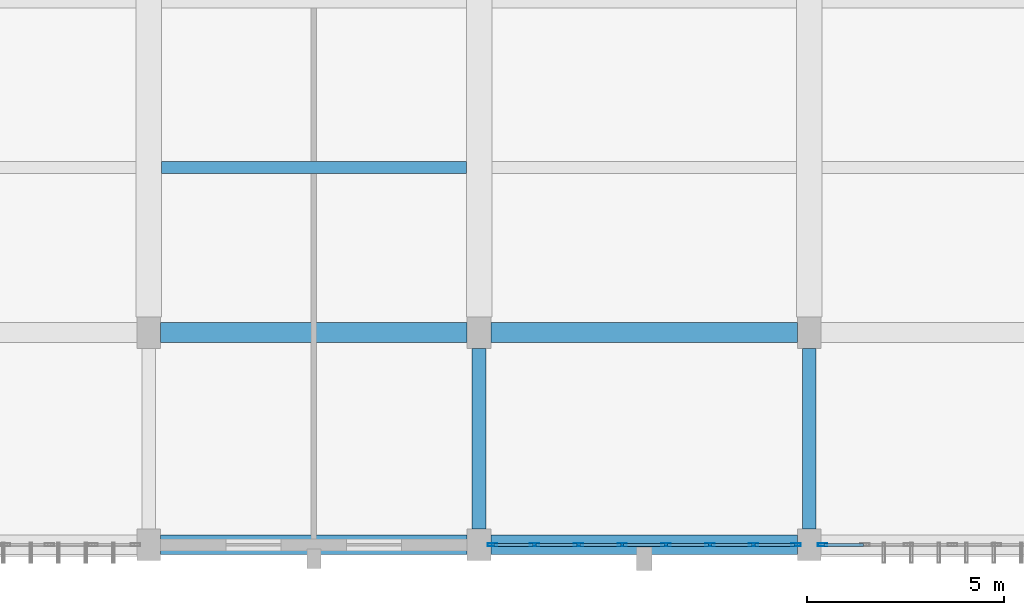
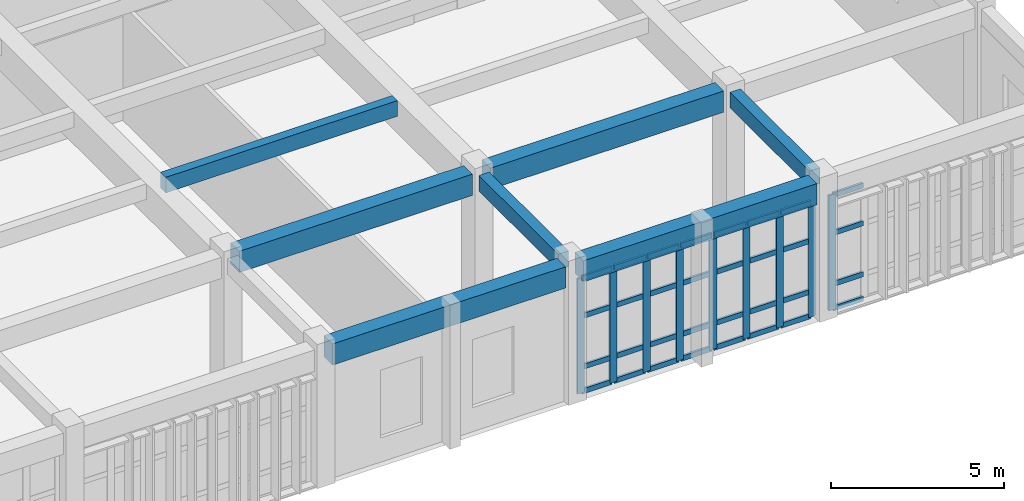
# One storey, part 54 of 106: 41 members, 7 beams, 2 elements without a shape of their own.
"""IFC4 building model written with IfcOpenShell, lengths in metres."""

from ifc_helpers import new_model, si_unit, direction, frame, origin, origin_2d, place, context, subcontext, project, spatial, rectangle, hollow_rectangle, extrude, material, layer, layer_set, material_profile, profile_set, type_object, element, aggregate, save


model = new_model("IFC4")

# Units and contexts
model_context = context("Model", 3, precision=1e-05, world=origin(), true_north=direction((0.0, 1.0)))
body_context = subcontext(model_context, "Body", "Model", "MODEL_VIEW")
ifc_project = project(units=[si_unit("LENGTHUNIT", "METRE"), si_unit("AREAUNIT", "SQUARE_METRE"), si_unit("VOLUMEUNIT", "CUBIC_METRE"), si_unit("PLANEANGLEUNIT", "RADIAN"), si_unit("MASSUNIT", "GRAM", prefix="KILO")], contexts=[model_context])

# Site, building, storey
site_placement = place(None, origin())
site = spatial("IfcSite", under=ifc_project, at=site_placement, CompositionType="ELEMENT")
building_placement = place(site_placement, origin())
building = spatial("IfcBuilding", under=site, at=building_placement, Name="Krzemoval Escarpment Law Courts", CompositionType="ELEMENT")
storey_placement = place(building_placement, frame((0.0, 0.0, 5.10009765625)))
storey = spatial("IfcBuildingStorey", under=building, at=storey_placement, Name="L01", CompositionType="ELEMENT", Elevation=5.10009765625)

# Beams
ifc_material_1 = material(Name="Concrete C40/50", Category="concrete")
ifc_material_profile_1 = material_profile(ifc_material_1, rectangle(XDim=0.35009765625, YDim=0.550048828125, at=origin_2d()), Name="RCB 350x550")
ifc_profile_set_1 = profile_set([ifc_material_profile_1], Name="Concrete C40/50")
beam_type_1 = type_object("IfcBeamType", Name="BM-RC-350x550", PredefinedType="BEAM", material=ifc_profile_set_1)
for number, where, z_axis, x_axis, name in (
    (1, (134.39990234375, 0.39990234375, 4.544921875), (0.0, 1.0, 0.0), (-1.0, 0.0, 0.0), "Beam FG-L01-1520"),
    (2, (142.800048828125, 0.39990234375, 4.544921875), (0.0, 1.0, 0.0), (-1.0, 0.0, 0.0), "Beam FG-L01-1536"),
):
    element("IfcBeam", number, at=place(storey_placement, frame(where, z_axis=z_axis, x_axis=x_axis)), inside=storey, type_object=beam_type_1, Name=name, PredefinedType="BEAM", context=body_context, shape_type="SweptSolid", body=[
        extrude(rectangle(XDim=0.35009765625, YDim=0.550048828125, at=origin_2d()), origin(), (0.0, 0.0, 1.0), 4.60009765625),
    ])
ifc_material_2 = material(Name="Concrete C40/50", Category="concrete")
ifc_material_profile_2 = material_profile(ifc_material_2, rectangle(XDim=0.5, YDim=0.75, at=origin_2d()), Name="RCB 500x750")
ifc_profile_set_2 = profile_set([ifc_material_profile_2], Name="Concrete C40/50")
beam_type_2 = type_object("IfcBeamType", Name="BM-RC-500x750", PredefinedType="BEAM", material=ifc_profile_set_2)
for number, where, z_axis, x_axis, name in (
    (3, (126.300048828125, 0.0, 4.44482421875), (1.0, 0.0, 0.0), (0.0, 1.0, 0.0), "Beam FG-L01-1160"),
    (4, (134.699951171875, 0.0, 4.44482421875), (1.0, 0.0, 0.0), (0.0, 1.0, 0.0), "Beam FG-L01-1161"),
    (5, (126.300048828125, 5.39990234375, 4.44482421875), (1.0, 0.0, 0.0), (0.0, 1.0, 0.0), "Beam FG-L01-1178"),
    (6, (134.699951171875, 5.39990234375, 4.44482421875), (1.0, 0.0, 0.0), (0.0, 1.0, 0.0), "Beam FG-L01-1179"),
):
    element("IfcBeam", number, at=place(storey_placement, frame(where, z_axis=z_axis, x_axis=x_axis)), inside=storey, type_object=beam_type_2, Name=name, PredefinedType="BEAM", context=body_context, shape_type="SweptSolid", body=[
        extrude(rectangle(XDim=0.5, YDim=0.75, at=origin_2d()), origin(), (0.0, 0.0, 1.0), 7.800048828125),
    ])

# Curtain wall, member
ifc_material_3 = material(Name="Aluminium 6063-T6", Category="aluminium")
ifc_layer = layer(ifc_material_3, 0.239990234375)
ifc_layer_set = layer_set([ifc_layer], Name="Aluminium 6063-T6")
curtain_wall_type = type_object("IfcCurtainWallType", Name="CW-LIBR-4800", PredefinedType="USERDEFINED", material=ifc_layer_set)
curtain_wall_1_placement = place(storey_placement, origin())
curtain_wall_1 = element("IfcCurtainWall", 7, at=curtain_wall_1_placement, inside=storey, type_object=curtain_wall_type, Name="Unitised Curtain Wall FCW-L01-041", ObjectType="UNITISED_CURTAIN_WALL", PredefinedType="USERDEFINED")
ifc_material_4 = material(Name="Aluminium 6063-T6", Category="aluminium")
ifc_material_profile_3 = material_profile(ifc_material_4, hollow_rectangle(XDim=0.074951171875, YDim=0.239990234375, WallThickness=0.0048828125, at=origin_2d()), Name="ALU M75x240")
ifc_profile_set_3 = profile_set([ifc_material_profile_3], Name="Aluminium 6063-T6")
member_type_1 = type_object("IfcMemberType", Name="CWM-75x240", PredefinedType="MULLION", material=ifc_profile_set_3)
member_1_placement = place(storey_placement, frame((143.137451171875, 0.0, 0.0), z_axis=(0.0, 0.0, 1.0), x_axis=(0.0, -1.0, 0.0)))
member_1 = element("IfcMember", 8, at=member_1_placement, type_object=member_type_1, Name="FCW-L01-041 mullion 8", PredefinedType="MULLION", context=body_context, shape_type="SweptSolid", body=[
    extrude(hollow_rectangle(XDim=0.074951171875, YDim=0.239990234375, WallThickness=0.0048828125, at=origin_2d()), origin(), (0.0, 0.0, 1.0), 4.06982421875),
])

# Curtain wall, members
curtain_wall_2_placement = place(storey_placement, origin())
curtain_wall_2 = element("IfcCurtainWall", 9, at=curtain_wall_2_placement, inside=storey, type_object=curtain_wall_type, Name="Unitised Curtain Wall FCW-L01-042", ObjectType="UNITISED_CURTAIN_WALL", PredefinedType="USERDEFINED")
member_2_placement = place(storey_placement, frame((142.46240234375, 0.0, 0.0), z_axis=(0.0, 0.0, 1.0), x_axis=(0.0, -1.0, 0.0)))
member_2 = element("IfcMember", 10, at=member_2_placement, type_object=member_type_1, Name="FCW-L01-042 mullion 1", PredefinedType="MULLION", context=body_context, shape_type="SweptSolid", body=[
    extrude(hollow_rectangle(XDim=0.074951171875, YDim=0.239990234375, WallThickness=0.0048828125, at=origin_2d()), origin(), (0.0, 0.0, 1.0), 4.06982421875),
])
member_3_placement = place(storey_placement, frame((141.3857421875, 0.0, 0.0), z_axis=(0.0, 0.0, 1.0), x_axis=(0.0, -1.0, 0.0)))
member_3 = element("IfcMember", 11, at=member_3_placement, type_object=member_type_1, Name="FCW-L01-042 mullion 2", PredefinedType="MULLION", context=body_context, shape_type="SweptSolid", body=[
    extrude(hollow_rectangle(XDim=0.074951171875, YDim=0.239990234375, WallThickness=0.0048828125, at=origin_2d()), origin(), (0.0, 0.0, 1.0), 4.06982421875),
])
member_4_placement = place(storey_placement, frame((140.271484375, 0.0, 0.0), z_axis=(0.0, 0.0, 1.0), x_axis=(0.0, -1.0, 0.0)))
member_4 = element("IfcMember", 12, at=member_4_placement, type_object=member_type_1, Name="FCW-L01-042 mullion 3", PredefinedType="MULLION", context=body_context, shape_type="SweptSolid", body=[
    extrude(hollow_rectangle(XDim=0.074951171875, YDim=0.239990234375, WallThickness=0.0048828125, at=origin_2d()), origin(), (0.0, 0.0, 1.0), 4.06982421875),
])
member_5_placement = place(storey_placement, frame((139.1572265625, 0.0, 0.0), z_axis=(0.0, 0.0, 1.0), x_axis=(0.0, -1.0, 0.0)))
member_5 = element("IfcMember", 13, at=member_5_placement, type_object=member_type_1, Name="FCW-L01-042 mullion 4", PredefinedType="MULLION", context=body_context, shape_type="SweptSolid", body=[
    extrude(hollow_rectangle(XDim=0.074951171875, YDim=0.239990234375, WallThickness=0.0048828125, at=origin_2d()), origin(), (0.0, 0.0, 1.0), 4.06982421875),
])
member_6_placement = place(storey_placement, frame((138.04296875, 0.0, 0.0), z_axis=(0.0, 0.0, 1.0), x_axis=(0.0, -1.0, 0.0)))
member_6 = element("IfcMember", 14, at=member_6_placement, type_object=member_type_1, Name="FCW-L01-042 mullion 5", PredefinedType="MULLION", context=body_context, shape_type="SweptSolid", body=[
    extrude(hollow_rectangle(XDim=0.074951171875, YDim=0.239990234375, WallThickness=0.0048828125, at=origin_2d()), origin(), (0.0, 0.0, 1.0), 4.06982421875),
])
member_7_placement = place(storey_placement, frame((136.928466796875, 0.0, 0.0), z_axis=(0.0, 0.0, 1.0), x_axis=(0.0, -1.0, 0.0)))
member_7 = element("IfcMember", 15, at=member_7_placement, type_object=member_type_1, Name="FCW-L01-042 mullion 6", PredefinedType="MULLION", context=body_context, shape_type="SweptSolid", body=[
    extrude(hollow_rectangle(XDim=0.074951171875, YDim=0.239990234375, WallThickness=0.0048828125, at=origin_2d()), origin(), (0.0, 0.0, 1.0), 4.06982421875),
])
member_8_placement = place(storey_placement, frame((135.814208984375, 0.0, 0.0), z_axis=(0.0, 0.0, 1.0), x_axis=(0.0, -1.0, 0.0)))
member_8 = element("IfcMember", 16, at=member_8_placement, type_object=member_type_1, Name="FCW-L01-042 mullion 7", PredefinedType="MULLION", context=body_context, shape_type="SweptSolid", body=[
    extrude(hollow_rectangle(XDim=0.074951171875, YDim=0.239990234375, WallThickness=0.0048828125, at=origin_2d()), origin(), (0.0, 0.0, 1.0), 4.06982421875),
])
member_9_placement = place(storey_placement, frame((134.737548828125, 0.0, 0.0), z_axis=(0.0, 0.0, 1.0), x_axis=(0.0, -1.0, 0.0)))
member_9 = element("IfcMember", 17, at=member_9_placement, type_object=member_type_1, Name="FCW-L01-042 mullion 8", PredefinedType="MULLION", context=body_context, shape_type="SweptSolid", body=[
    extrude(hollow_rectangle(XDim=0.074951171875, YDim=0.239990234375, WallThickness=0.0048828125, at=origin_2d()), origin(), (0.0, 0.0, 1.0), 4.06982421875),
])

# Member
ifc_material_5 = material(Name="Aluminium 6063-T6", Category="aluminium")
ifc_material_profile_4 = material_profile(ifc_material_5, hollow_rectangle(XDim=0.074951171875, YDim=0.179931640625, WallThickness=0.0048828125, at=origin_2d()), Name="ALU T75x180")
ifc_profile_set_4 = profile_set([ifc_material_profile_4], Name="Aluminium 6063-T6")
member_type_2 = type_object("IfcMemberType", Name="CWT-75x180", PredefinedType="USERDEFINED", material=ifc_profile_set_4)
member_10_placement = place(storey_placement, frame((144.1767578125, 0.0, 0.037353515625), z_axis=(-1.0, 0.0, 0.0), x_axis=(0.0, -1.0, 0.0)))
member_10 = element("IfcMember", 18, at=member_10_placement, type_object=member_type_2, Name="FCW-L01-041 transom 7.1", ObjectType="TRANSOM", PredefinedType="USERDEFINED", context=body_context, shape_type="SweptSolid", body=[
    extrude(hollow_rectangle(XDim=0.074951171875, YDim=0.179931640625, WallThickness=0.0048828125, at=origin_2d()), origin(), (0.0, 0.0, 1.0), 1.001708984375),
])

member_11_placement = place(storey_placement, frame((144.1767578125, 0.0, 0.89990234375), z_axis=(-1.0, 0.0, 0.0), x_axis=(0.0, -1.0, 0.0)))
member_11 = element("IfcMember", 19, at=member_11_placement, type_object=member_type_2, Name="FCW-L01-041 transom 7.2", ObjectType="TRANSOM", PredefinedType="USERDEFINED", context=body_context, shape_type="SweptSolid", body=[
    extrude(hollow_rectangle(XDim=0.074951171875, YDim=0.179931640625, WallThickness=0.0048828125, at=origin_2d()), origin(), (0.0, 0.0, 1.0), 1.001708984375),
])

member_12_placement = place(storey_placement, frame((144.1767578125, 0.0, 2.699951171875), z_axis=(-1.0, 0.0, 0.0), x_axis=(0.0, -1.0, 0.0)))
member_12 = element("IfcMember", 20, at=member_12_placement, type_object=member_type_2, Name="FCW-L01-041 transom 7.3", ObjectType="TRANSOM", PredefinedType="USERDEFINED", context=body_context, shape_type="SweptSolid", body=[
    extrude(hollow_rectangle(XDim=0.074951171875, YDim=0.179931640625, WallThickness=0.0048828125, at=origin_2d()), origin(), (0.0, 0.0, 1.0), 1.001708984375),
])

member_13_placement = place(storey_placement, frame((144.1767578125, 0.0, 4.032470703125), z_axis=(-1.0, 0.0, 0.0), x_axis=(0.0, -1.0, 0.0)))
member_13 = element("IfcMember", 21, at=member_13_placement, type_object=member_type_2, Name="FCW-L01-041 transom 7.4", ObjectType="TRANSOM", PredefinedType="USERDEFINED", context=body_context, shape_type="SweptSolid", body=[
    extrude(hollow_rectangle(XDim=0.074951171875, YDim=0.179931640625, WallThickness=0.0048828125, at=origin_2d()), origin(), (0.0, 0.0, 1.0), 1.001708984375),
])

aggregate(curtain_wall_1, [member_1, member_10, member_11, member_12, member_13])

member_14_placement = place(storey_placement, frame((142.425048828125, 0.0, 0.037353515625), z_axis=(-1.0, 0.0, 0.0), x_axis=(0.0, -1.0, 0.0)))
member_14 = element("IfcMember", 22, at=member_14_placement, type_object=member_type_2, Name="FCW-L01-042 transom 1.1", ObjectType="TRANSOM", PredefinedType="USERDEFINED", context=body_context, shape_type="SweptSolid", body=[
    extrude(hollow_rectangle(XDim=0.074951171875, YDim=0.179931640625, WallThickness=0.0048828125, at=origin_2d()), origin(), (0.0, 0.0, 1.0), 1.001953125),
])

member_15_placement = place(storey_placement, frame((142.425048828125, 0.0, 0.89990234375), z_axis=(-1.0, 0.0, 0.0), x_axis=(0.0, -1.0, 0.0)))
member_15 = element("IfcMember", 23, at=member_15_placement, type_object=member_type_2, Name="FCW-L01-042 transom 1.2", ObjectType="TRANSOM", PredefinedType="USERDEFINED", context=body_context, shape_type="SweptSolid", body=[
    extrude(hollow_rectangle(XDim=0.074951171875, YDim=0.179931640625, WallThickness=0.0048828125, at=origin_2d()), origin(), (0.0, 0.0, 1.0), 1.001953125),
])

member_16_placement = place(storey_placement, frame((142.425048828125, 0.0, 2.699951171875), z_axis=(-1.0, 0.0, 0.0), x_axis=(0.0, -1.0, 0.0)))
member_16 = element("IfcMember", 24, at=member_16_placement, type_object=member_type_2, Name="FCW-L01-042 transom 1.3", ObjectType="TRANSOM", PredefinedType="USERDEFINED", context=body_context, shape_type="SweptSolid", body=[
    extrude(hollow_rectangle(XDim=0.074951171875, YDim=0.179931640625, WallThickness=0.0048828125, at=origin_2d()), origin(), (0.0, 0.0, 1.0), 1.001953125),
])

member_17_placement = place(storey_placement, frame((142.425048828125, 0.0, 4.032470703125), z_axis=(-1.0, 0.0, 0.0), x_axis=(0.0, -1.0, 0.0)))
member_17 = element("IfcMember", 25, at=member_17_placement, type_object=member_type_2, Name="FCW-L01-042 transom 1.4", ObjectType="TRANSOM", PredefinedType="USERDEFINED", context=body_context, shape_type="SweptSolid", body=[
    extrude(hollow_rectangle(XDim=0.074951171875, YDim=0.179931640625, WallThickness=0.0048828125, at=origin_2d()), origin(), (0.0, 0.0, 1.0), 1.001953125),
])

member_18_placement = place(storey_placement, frame((141.34814453125, 0.0, 0.037353515625), z_axis=(-1.0, 0.0, 0.0), x_axis=(0.0, -1.0, 0.0)))
member_18 = element("IfcMember", 26, at=member_18_placement, type_object=member_type_2, Name="FCW-L01-042 transom 2.1", ObjectType="TRANSOM", PredefinedType="USERDEFINED", context=body_context, shape_type="SweptSolid", body=[
    extrude(hollow_rectangle(XDim=0.074951171875, YDim=0.179931640625, WallThickness=0.0048828125, at=origin_2d()), origin(), (0.0, 0.0, 1.0), 1.039306640625),
])

member_19_placement = place(storey_placement, frame((141.34814453125, 0.0, 0.89990234375), z_axis=(-1.0, 0.0, 0.0), x_axis=(0.0, -1.0, 0.0)))
member_19 = element("IfcMember", 27, at=member_19_placement, type_object=member_type_2, Name="FCW-L01-042 transom 2.2", ObjectType="TRANSOM", PredefinedType="USERDEFINED", context=body_context, shape_type="SweptSolid", body=[
    extrude(hollow_rectangle(XDim=0.074951171875, YDim=0.179931640625, WallThickness=0.0048828125, at=origin_2d()), origin(), (0.0, 0.0, 1.0), 1.039306640625),
])

member_20_placement = place(storey_placement, frame((141.34814453125, 0.0, 2.699951171875), z_axis=(-1.0, 0.0, 0.0), x_axis=(0.0, -1.0, 0.0)))
member_20 = element("IfcMember", 28, at=member_20_placement, type_object=member_type_2, Name="FCW-L01-042 transom 2.3", ObjectType="TRANSOM", PredefinedType="USERDEFINED", context=body_context, shape_type="SweptSolid", body=[
    extrude(hollow_rectangle(XDim=0.074951171875, YDim=0.179931640625, WallThickness=0.0048828125, at=origin_2d()), origin(), (0.0, 0.0, 1.0), 1.039306640625),
])

member_21_placement = place(storey_placement, frame((141.34814453125, 0.0, 4.032470703125), z_axis=(-1.0, 0.0, 0.0), x_axis=(0.0, -1.0, 0.0)))
member_21 = element("IfcMember", 29, at=member_21_placement, type_object=member_type_2, Name="FCW-L01-042 transom 2.4", ObjectType="TRANSOM", PredefinedType="USERDEFINED", context=body_context, shape_type="SweptSolid", body=[
    extrude(hollow_rectangle(XDim=0.074951171875, YDim=0.179931640625, WallThickness=0.0048828125, at=origin_2d()), origin(), (0.0, 0.0, 1.0), 1.039306640625),
])

member_22_placement = place(storey_placement, frame((140.23388671875, 0.0, 0.037353515625), z_axis=(-1.0, 0.0, 0.0), x_axis=(0.0, -1.0, 0.0)))
member_22 = element("IfcMember", 30, at=member_22_placement, type_object=member_type_2, Name="FCW-L01-042 transom 3.1", ObjectType="TRANSOM", PredefinedType="USERDEFINED", context=body_context, shape_type="SweptSolid", body=[
    extrude(hollow_rectangle(XDim=0.074951171875, YDim=0.179931640625, WallThickness=0.0048828125, at=origin_2d()), origin(), (0.0, 0.0, 1.0), 1.039306640625),
])

member_23_placement = place(storey_placement, frame((140.23388671875, 0.0, 0.89990234375), z_axis=(-1.0, 0.0, 0.0), x_axis=(0.0, -1.0, 0.0)))
member_23 = element("IfcMember", 31, at=member_23_placement, type_object=member_type_2, Name="FCW-L01-042 transom 3.2", ObjectType="TRANSOM", PredefinedType="USERDEFINED", context=body_context, shape_type="SweptSolid", body=[
    extrude(hollow_rectangle(XDim=0.074951171875, YDim=0.179931640625, WallThickness=0.0048828125, at=origin_2d()), origin(), (0.0, 0.0, 1.0), 1.039306640625),
])

member_24_placement = place(storey_placement, frame((140.23388671875, 0.0, 2.699951171875), z_axis=(-1.0, 0.0, 0.0), x_axis=(0.0, -1.0, 0.0)))
member_24 = element("IfcMember", 32, at=member_24_placement, type_object=member_type_2, Name="FCW-L01-042 transom 3.3", ObjectType="TRANSOM", PredefinedType="USERDEFINED", context=body_context, shape_type="SweptSolid", body=[
    extrude(hollow_rectangle(XDim=0.074951171875, YDim=0.179931640625, WallThickness=0.0048828125, at=origin_2d()), origin(), (0.0, 0.0, 1.0), 1.039306640625),
])

member_25_placement = place(storey_placement, frame((140.23388671875, 0.0, 4.032470703125), z_axis=(-1.0, 0.0, 0.0), x_axis=(0.0, -1.0, 0.0)))
member_25 = element("IfcMember", 33, at=member_25_placement, type_object=member_type_2, Name="FCW-L01-042 transom 3.4", ObjectType="TRANSOM", PredefinedType="USERDEFINED", context=body_context, shape_type="SweptSolid", body=[
    extrude(hollow_rectangle(XDim=0.074951171875, YDim=0.179931640625, WallThickness=0.0048828125, at=origin_2d()), origin(), (0.0, 0.0, 1.0), 1.039306640625),
])

member_26_placement = place(storey_placement, frame((139.11962890625, 0.0, 0.037353515625), z_axis=(-1.0, 0.0, 0.0), x_axis=(0.0, -1.0, 0.0)))
member_26 = element("IfcMember", 34, at=member_26_placement, type_object=member_type_2, Name="FCW-L01-042 transom 4.1", ObjectType="TRANSOM", PredefinedType="USERDEFINED", context=body_context, shape_type="SweptSolid", body=[
    extrude(hollow_rectangle(XDim=0.074951171875, YDim=0.179931640625, WallThickness=0.0048828125, at=origin_2d()), origin(), (0.0, 0.0, 1.0), 1.039306640625),
])

member_27_placement = place(storey_placement, frame((139.11962890625, 0.0, 0.89990234375), z_axis=(-1.0, 0.0, 0.0), x_axis=(0.0, -1.0, 0.0)))
member_27 = element("IfcMember", 35, at=member_27_placement, type_object=member_type_2, Name="FCW-L01-042 transom 4.2", ObjectType="TRANSOM", PredefinedType="USERDEFINED", context=body_context, shape_type="SweptSolid", body=[
    extrude(hollow_rectangle(XDim=0.074951171875, YDim=0.179931640625, WallThickness=0.0048828125, at=origin_2d()), origin(), (0.0, 0.0, 1.0), 1.039306640625),
])

member_28_placement = place(storey_placement, frame((139.11962890625, 0.0, 2.699951171875), z_axis=(-1.0, 0.0, 0.0), x_axis=(0.0, -1.0, 0.0)))
member_28 = element("IfcMember", 36, at=member_28_placement, type_object=member_type_2, Name="FCW-L01-042 transom 4.3", ObjectType="TRANSOM", PredefinedType="USERDEFINED", context=body_context, shape_type="SweptSolid", body=[
    extrude(hollow_rectangle(XDim=0.074951171875, YDim=0.179931640625, WallThickness=0.0048828125, at=origin_2d()), origin(), (0.0, 0.0, 1.0), 1.039306640625),
])

member_29_placement = place(storey_placement, frame((139.11962890625, 0.0, 4.032470703125), z_axis=(-1.0, 0.0, 0.0), x_axis=(0.0, -1.0, 0.0)))
member_29 = element("IfcMember", 37, at=member_29_placement, type_object=member_type_2, Name="FCW-L01-042 transom 4.4", ObjectType="TRANSOM", PredefinedType="USERDEFINED", context=body_context, shape_type="SweptSolid", body=[
    extrude(hollow_rectangle(XDim=0.074951171875, YDim=0.179931640625, WallThickness=0.0048828125, at=origin_2d()), origin(), (0.0, 0.0, 1.0), 1.039306640625),
])

member_30_placement = place(storey_placement, frame((138.00537109375, 0.0, 0.037353515625), z_axis=(-1.0, 0.0, 0.0), x_axis=(0.0, -1.0, 0.0)))
member_30 = element("IfcMember", 38, at=member_30_placement, type_object=member_type_2, Name="FCW-L01-042 transom 5.1", ObjectType="TRANSOM", PredefinedType="USERDEFINED", context=body_context, shape_type="SweptSolid", body=[
    extrude(hollow_rectangle(XDim=0.074951171875, YDim=0.179931640625, WallThickness=0.0048828125, at=origin_2d()), origin(), (0.0, 0.0, 1.0), 1.039306640625),
])

member_31_placement = place(storey_placement, frame((138.00537109375, 0.0, 0.89990234375), z_axis=(-1.0, 0.0, 0.0), x_axis=(0.0, -1.0, 0.0)))
member_31 = element("IfcMember", 39, at=member_31_placement, type_object=member_type_2, Name="FCW-L01-042 transom 5.2", ObjectType="TRANSOM", PredefinedType="USERDEFINED", context=body_context, shape_type="SweptSolid", body=[
    extrude(hollow_rectangle(XDim=0.074951171875, YDim=0.179931640625, WallThickness=0.0048828125, at=origin_2d()), origin(), (0.0, 0.0, 1.0), 1.039306640625),
])

member_32_placement = place(storey_placement, frame((138.00537109375, 0.0, 2.699951171875), z_axis=(-1.0, 0.0, 0.0), x_axis=(0.0, -1.0, 0.0)))
member_32 = element("IfcMember", 40, at=member_32_placement, type_object=member_type_2, Name="FCW-L01-042 transom 5.3", ObjectType="TRANSOM", PredefinedType="USERDEFINED", context=body_context, shape_type="SweptSolid", body=[
    extrude(hollow_rectangle(XDim=0.074951171875, YDim=0.179931640625, WallThickness=0.0048828125, at=origin_2d()), origin(), (0.0, 0.0, 1.0), 1.039306640625),
])

member_33_placement = place(storey_placement, frame((138.00537109375, 0.0, 4.032470703125), z_axis=(-1.0, 0.0, 0.0), x_axis=(0.0, -1.0, 0.0)))
member_33 = element("IfcMember", 41, at=member_33_placement, type_object=member_type_2, Name="FCW-L01-042 transom 5.4", ObjectType="TRANSOM", PredefinedType="USERDEFINED", context=body_context, shape_type="SweptSolid", body=[
    extrude(hollow_rectangle(XDim=0.074951171875, YDim=0.179931640625, WallThickness=0.0048828125, at=origin_2d()), origin(), (0.0, 0.0, 1.0), 1.039306640625),
])

member_34_placement = place(storey_placement, frame((136.89111328125, 0.0, 0.037353515625), z_axis=(-1.0, 0.0, 0.0), x_axis=(0.0, -1.0, 0.0)))
member_34 = element("IfcMember", 42, at=member_34_placement, type_object=member_type_2, Name="FCW-L01-042 transom 6.1", ObjectType="TRANSOM", PredefinedType="USERDEFINED", context=body_context, shape_type="SweptSolid", body=[
    extrude(hollow_rectangle(XDim=0.074951171875, YDim=0.179931640625, WallThickness=0.0048828125, at=origin_2d()), origin(), (0.0, 0.0, 1.0), 1.039306640625),
])

member_35_placement = place(storey_placement, frame((136.89111328125, 0.0, 0.89990234375), z_axis=(-1.0, 0.0, 0.0), x_axis=(0.0, -1.0, 0.0)))
member_35 = element("IfcMember", 43, at=member_35_placement, type_object=member_type_2, Name="FCW-L01-042 transom 6.2", ObjectType="TRANSOM", PredefinedType="USERDEFINED", context=body_context, shape_type="SweptSolid", body=[
    extrude(hollow_rectangle(XDim=0.074951171875, YDim=0.179931640625, WallThickness=0.0048828125, at=origin_2d()), origin(), (0.0, 0.0, 1.0), 1.039306640625),
])

member_36_placement = place(storey_placement, frame((136.89111328125, 0.0, 2.699951171875), z_axis=(-1.0, 0.0, 0.0), x_axis=(0.0, -1.0, 0.0)))
member_36 = element("IfcMember", 44, at=member_36_placement, type_object=member_type_2, Name="FCW-L01-042 transom 6.3", ObjectType="TRANSOM", PredefinedType="USERDEFINED", context=body_context, shape_type="SweptSolid", body=[
    extrude(hollow_rectangle(XDim=0.074951171875, YDim=0.179931640625, WallThickness=0.0048828125, at=origin_2d()), origin(), (0.0, 0.0, 1.0), 1.039306640625),
])

member_37_placement = place(storey_placement, frame((136.89111328125, 0.0, 4.032470703125), z_axis=(-1.0, 0.0, 0.0), x_axis=(0.0, -1.0, 0.0)))
member_37 = element("IfcMember", 45, at=member_37_placement, type_object=member_type_2, Name="FCW-L01-042 transom 6.4", ObjectType="TRANSOM", PredefinedType="USERDEFINED", context=body_context, shape_type="SweptSolid", body=[
    extrude(hollow_rectangle(XDim=0.074951171875, YDim=0.179931640625, WallThickness=0.0048828125, at=origin_2d()), origin(), (0.0, 0.0, 1.0), 1.039306640625),
])

member_38_placement = place(storey_placement, frame((135.77685546875, 0.0, 0.037353515625), z_axis=(-1.0, 0.0, 0.0), x_axis=(0.0, -1.0, 0.0)))
member_38 = element("IfcMember", 46, at=member_38_placement, type_object=member_type_2, Name="FCW-L01-042 transom 7.1", ObjectType="TRANSOM", PredefinedType="USERDEFINED", context=body_context, shape_type="SweptSolid", body=[
    extrude(hollow_rectangle(XDim=0.074951171875, YDim=0.179931640625, WallThickness=0.0048828125, at=origin_2d()), origin(), (0.0, 0.0, 1.0), 1.001953125),
])

member_39_placement = place(storey_placement, frame((135.77685546875, 0.0, 0.89990234375), z_axis=(-1.0, 0.0, 0.0), x_axis=(0.0, -1.0, 0.0)))
member_39 = element("IfcMember", 47, at=member_39_placement, type_object=member_type_2, Name="FCW-L01-042 transom 7.2", ObjectType="TRANSOM", PredefinedType="USERDEFINED", context=body_context, shape_type="SweptSolid", body=[
    extrude(hollow_rectangle(XDim=0.074951171875, YDim=0.179931640625, WallThickness=0.0048828125, at=origin_2d()), origin(), (0.0, 0.0, 1.0), 1.001953125),
])

member_40_placement = place(storey_placement, frame((135.77685546875, 0.0, 2.699951171875), z_axis=(-1.0, 0.0, 0.0), x_axis=(0.0, -1.0, 0.0)))
member_40 = element("IfcMember", 48, at=member_40_placement, type_object=member_type_2, Name="FCW-L01-042 transom 7.3", ObjectType="TRANSOM", PredefinedType="USERDEFINED", context=body_context, shape_type="SweptSolid", body=[
    extrude(hollow_rectangle(XDim=0.074951171875, YDim=0.179931640625, WallThickness=0.0048828125, at=origin_2d()), origin(), (0.0, 0.0, 1.0), 1.001953125),
])

member_41_placement = place(storey_placement, frame((135.77685546875, 0.0, 4.032470703125), z_axis=(-1.0, 0.0, 0.0), x_axis=(0.0, -1.0, 0.0)))
member_41 = element("IfcMember", 49, at=member_41_placement, type_object=member_type_2, Name="FCW-L01-042 transom 7.4", ObjectType="TRANSOM", PredefinedType="USERDEFINED", context=body_context, shape_type="SweptSolid", body=[
    extrude(hollow_rectangle(XDim=0.074951171875, YDim=0.179931640625, WallThickness=0.0048828125, at=origin_2d()), origin(), (0.0, 0.0, 1.0), 1.001953125),
])

aggregate(curtain_wall_2, [member_2, member_3, member_4, member_5, member_6, member_7, member_8, member_9, member_14, member_15, member_16, member_17, member_18, member_19, member_20, member_21, member_22, member_23, member_24, member_25, member_26, member_27, member_28, member_29, member_30, member_31, member_32, member_33, member_34, member_35, member_36, member_37, member_38, member_39, member_40, member_41])

# Beam
ifc_material_6 = material(Name="Concrete C40/50", Category="concrete")
ifc_material_profile_5 = material_profile(ifc_material_6, rectangle(XDim=0.300048828125, YDim=0.550048828125, at=origin_2d()), Name="RCB 300x550")
ifc_profile_set_5 = profile_set([ifc_material_profile_5], Name="Concrete C40/50")
beam_type_3 = type_object("IfcBeamType", Name="JST-RC-300x550", PredefinedType="JOIST", material=ifc_profile_set_5)
beam_placement = place(storey_placement, frame((126.324951171875, 9.60009765625, 4.544921875), z_axis=(1.0, 0.0, 0.0), x_axis=(0.0, 1.0, 0.0)))
element("IfcBeam", 50, at=beam_placement, inside=storey, type_object=beam_type_3, Name="Secondary Joist FJ-L01-1681", PredefinedType="JOIST", context=body_context, shape_type="SweptSolid", body=[
    extrude(rectangle(XDim=0.300048828125, YDim=0.550048828125, at=origin_2d()), origin(), (0.0, 0.0, 1.0), 7.75),
])

save(model, "model.ifc")
